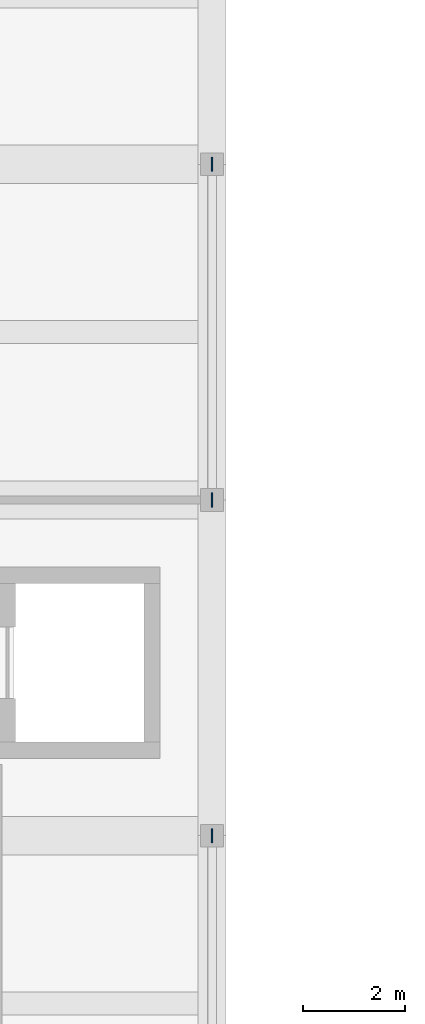
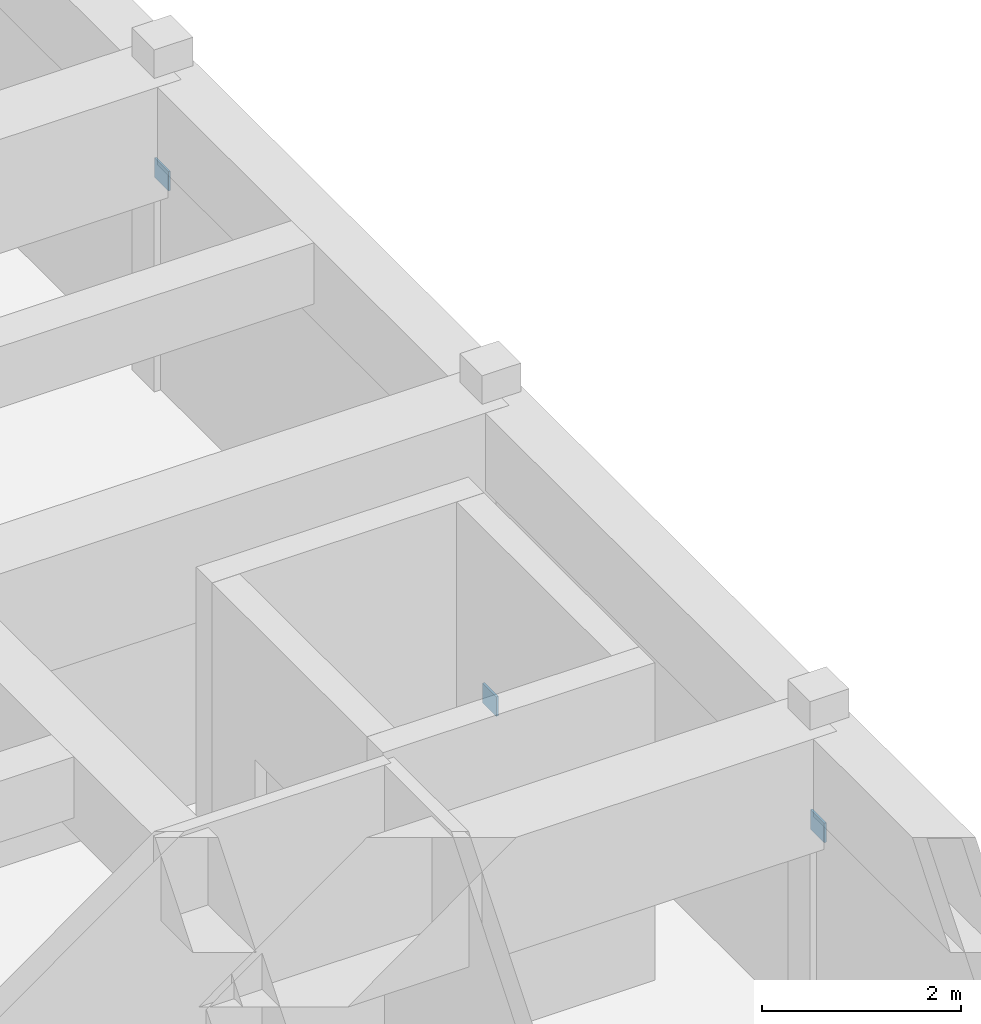
# One storey, part 113 of 134: 3 plates.
"""IFC4 building model written with IfcOpenShell, lengths in metres."""

from ifc_helpers import new_model, si_unit, direction, frame, origin, origin_2d, place, context, subcontext, project, spatial, rectangle, extrude, material, layer, layer_set, type_object, element, save


model = new_model("IFC4")

# Units and contexts
model_context = context("Model", 3, precision=1e-05, world=origin(), true_north=direction((0.0, 1.0)))
body_context = subcontext(model_context, "Body", "Model", "MODEL_VIEW")
ifc_project = project(units=[si_unit("LENGTHUNIT", "METRE"), si_unit("AREAUNIT", "SQUARE_METRE"), si_unit("VOLUMEUNIT", "CUBIC_METRE"), si_unit("PLANEANGLEUNIT", "RADIAN"), si_unit("MASSUNIT", "GRAM", prefix="KILO")], contexts=[model_context])

# Site, building, storey
site_placement = place(None, origin())
site = spatial("IfcSite", under=ifc_project, at=site_placement, CompositionType="ELEMENT")
building_placement = place(site_placement, origin())
building = spatial("IfcBuilding", under=site, at=building_placement, Name="Karori Crest Natural Sciences Institute", CompositionType="ELEMENT")
storey_placement = place(building_placement, frame((0.0, 0.0, 21.699951171875)))
storey = spatial("IfcBuildingStorey", under=building, at=storey_placement, Name="L05", CompositionType="ELEMENT", Elevation=21.699951171875)

# Plates
ifc_material = material(Name="Structural steel AS/NZS 3679.1 Grade 350", Category="steel")
ifc_layer = layer(ifc_material, 0.02490234375, Name="Structural steel AS/NZS 3679.1 Grade 350")
ifc_layer_set = layer_set([ifc_layer], Name="Structural steel AS/NZS 3679.1 Grade 350")
plate_type = type_object("IfcPlateType", Name="PLT-06-EL", PredefinedType="SHEET", material=ifc_layer_set)
for number, where, z_axis, x_axis, name in (
    (1, (27.199951171875, 101.60009765625, 2.33984375), (0.0, 0.0, 1.0), (0.0, 1.0, 0.0), "Brace gusset plate EP-0469"),
    (2, (27.199951171875, 108.199951171875, -0.10986328125), (0.0, 0.0, 1.0), (0.0, 1.0, 0.0), "Brace gusset plate EP-0470"),
    (3, (27.199951171875, 114.800048828125, 2.33984375), (0.0, 0.0, 1.0), (0.0, 1.0, 0.0), "Brace gusset plate EP-0471"),
):
    element("IfcPlate", number, at=place(storey_placement, frame(where, z_axis=z_axis, x_axis=x_axis)), inside=storey, type_object=plate_type, Name=name, PredefinedType="SHEET", context=body_context, shape_type="SweptSolid", body=[
        extrude(rectangle(XDim=0.280029296875, YDim=0.02490234375, at=origin_2d()), origin(), (0.0, 0.0, 1.0), 0.239990234375),
    ])

save(model, "model.ifc")
